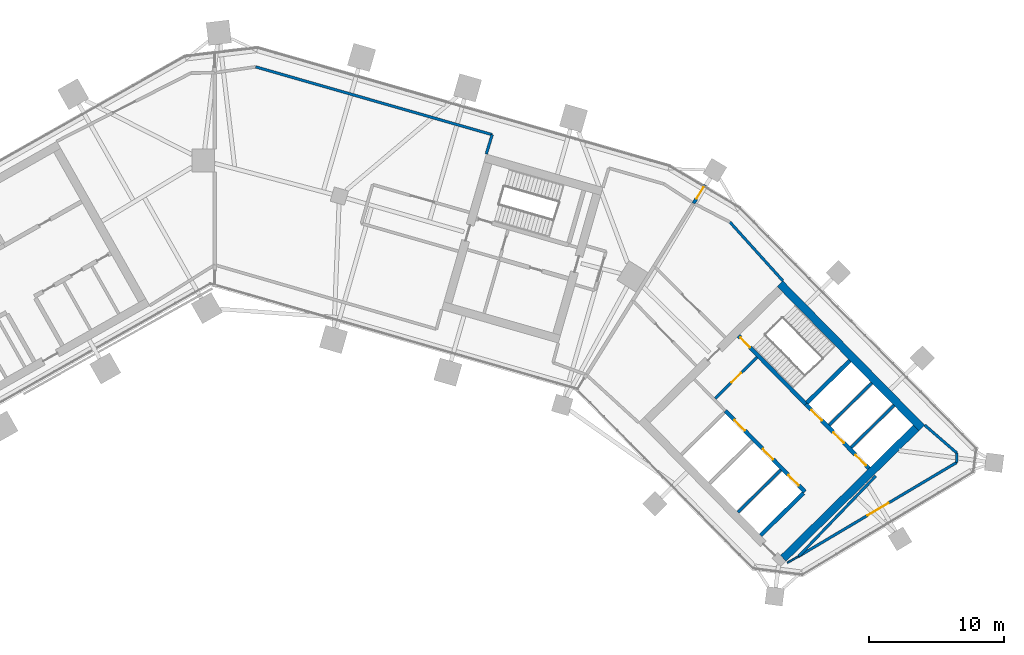
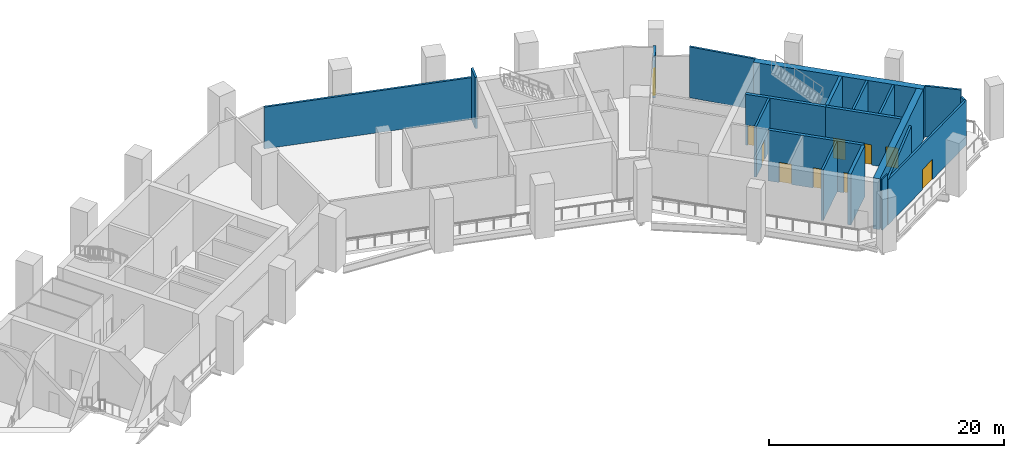
# One storey, part 7 of 11: 20 walls, 10 doors, 10 openings.
"""IFC4 building model written with IfcOpenShell, lengths in metres."""

from ifc_helpers import new_model, si_unit, direction, frame, frame_2d, origin, place, context, subcontext, project, spatial, rectangle, extrude, material, layer, layer_set, type_object, element, fill, save


model = new_model("IFC4")

# Units and contexts
model_context = context("Model", 3, precision=1e-05, world=origin(), true_north=direction((0.0, 1.0)))
body_context = subcontext(model_context, "Body", "Model", "MODEL_VIEW")
ifc_project = project(units=[si_unit("LENGTHUNIT", "METRE"), si_unit("AREAUNIT", "SQUARE_METRE"), si_unit("VOLUMEUNIT", "CUBIC_METRE"), si_unit("PLANEANGLEUNIT", "RADIAN"), si_unit("MASSUNIT", "GRAM", prefix="KILO")], contexts=[model_context])

# Site, building, storey
site_placement = place(None, origin())
site = spatial("IfcSite", under=ifc_project, at=site_placement, CompositionType="ELEMENT")
building_placement = place(site_placement, origin())
building = spatial("IfcBuilding", under=site, at=building_placement, Name="Binnacle Exchange Tower", CompositionType="ELEMENT")
storey_placement = place(building_placement, frame((0.0, 0.0, 91.5)))
storey = spatial("IfcBuildingStorey", under=building, at=storey_placement, Name="L18", CompositionType="ELEMENT", Elevation=91.5)

# Wall, openings, doors
ifc_material_1 = material(Name="Concrete C70/85", Category="concrete")
ifc_layer_1 = layer(ifc_material_1, 0.300048828125)
ifc_layer_set_1 = layer_set([ifc_layer_1], Name="Core wall - front 300")
wall_type_1 = type_object("IfcWallType", Name="Core wall - front 300", PredefinedType="SOLIDWALL", material=ifc_layer_set_1)
wall_1_placement = place(storey_placement, frame((37.8740234375, 41.41552734375, 0.0), z_axis=(0.0, 0.0, 1.0), x_axis=(0.700918271237, -0.71324159795, 0.0)))
wall_1 = element("IfcWall", 1, at=wall_1_placement, inside=storey, type_object=wall_type_1, Name="Core wall CRWB3", PredefinedType="SOLIDWALL", context=body_context, shape_type="SweptSolid", body=[
    extrude(rectangle(XDim=8.39990234375, YDim=0.300048828125, at=frame_2d((4.199951171875, 0.0))), origin(), (0.0, 0.0, 1.0), 5.280029296875),
])
opening_1_placement = place(wall_1_placement, frame((0.949951171875, 0.0, 0.0)))
opening_1 = element("IfcOpeningElement", 2, at=opening_1_placement, cuts=wall_1, Name="Opening LD15", PredefinedType="OPENING", context=body_context, shape_type="SweptSolid", body=[
    extrude(rectangle(XDim=1.10009765625, YDim=2.10009765625, at=frame_2d((0.550048828125, 1.050048828125))), frame((0.0, 0.159912109375, 0.0), z_axis=(0.0, -1.0, 0.0), x_axis=(1.0, 0.0, 0.0)), (0.0, 0.0, 1.0), 0.320068359375),
])
opening_2_placement = place(wall_1_placement, frame((3.949951171875, 0.0, 0.0)))
opening_2 = element("IfcOpeningElement", 3, at=opening_2_placement, cuts=wall_1, Name="Opening LD16", PredefinedType="OPENING", context=body_context, shape_type="SweptSolid", body=[
    extrude(rectangle(XDim=1.10009765625, YDim=2.10009765625, at=frame_2d((0.550048828125, 1.050048828125))), frame((0.0, 0.159912109375, 0.0), z_axis=(0.0, -1.0, 0.0), x_axis=(1.0, 0.0, 0.0)), (0.0, 0.0, 1.0), 0.320068359375),
])
opening_3_placement = place(wall_1_placement, frame((6.64990234375, 0.0, 0.0)))
opening_3 = element("IfcOpeningElement", 4, at=opening_3_placement, cuts=wall_1, Name="Opening LD4", PredefinedType="OPENING", context=body_context, shape_type="SweptSolid", body=[
    extrude(rectangle(XDim=1.10009765625, YDim=2.10009765625, at=frame_2d((0.550048828125, 1.050048828125))), frame((0.0, 0.159912109375, 0.0), z_axis=(0.0, -1.0, 0.0), x_axis=(1.0, 0.0, 0.0)), (0.0, 0.0, 1.0), 0.320068359375),
])
ifc_material_2 = material(Name="Steel door leaf", Category="steel")
door_type_1 = type_object("IfcDoorType", Name="Fire door - lift landing 1100", OperationType="NOTDEFINED", PredefinedType="DOOR", material=ifc_material_2)
door_1_placement = place(opening_1_placement, origin())
door_1 = element("IfcDoor", 5, at=door_1_placement, inside=storey, type_object=door_type_1, Name="Landing door LD15 L18", OperationType="DOUBLE_DOOR_SLIDING", OverallHeight=2.10009765625, OverallWidth=1.10009765625, PredefinedType="DOOR", context=body_context, shape_type="SweptSolid", body=[
    extrude(rectangle(XDim=1.10009765625, YDim=2.10009765625, at=frame_2d((0.550048828125, 1.050048828125))), frame((0.0, 0.02490234375, 0.0), z_axis=(0.0, -1.0, 0.0), x_axis=(1.0, 0.0, 0.0)), (0.0, 0.0, 1.0), 0.050048828125),
])
fill(opening_1, door_1)
door_2_placement = place(opening_2_placement, origin())
door_2 = element("IfcDoor", 6, at=door_2_placement, inside=storey, type_object=door_type_1, Name="Landing door LD16 L18", OperationType="DOUBLE_DOOR_SLIDING", OverallHeight=2.10009765625, OverallWidth=1.10009765625, PredefinedType="DOOR", context=body_context, shape_type="SweptSolid", body=[
    extrude(rectangle(XDim=1.10009765625, YDim=2.10009765625, at=frame_2d((0.550048828125, 1.050048828125))), frame((0.0, 0.02490234375, 0.0), z_axis=(0.0, -1.0, 0.0), x_axis=(1.0, 0.0, 0.0)), (0.0, 0.0, 1.0), 0.050048828125),
])
fill(opening_2, door_2)
door_3_placement = place(opening_3_placement, origin())
door_3 = element("IfcDoor", 7, at=door_3_placement, inside=storey, type_object=door_type_1, Name="Landing door LD4 L18", OperationType="DOUBLE_DOOR_SLIDING", OverallHeight=2.10009765625, OverallWidth=1.10009765625, PredefinedType="DOOR", context=body_context, shape_type="SweptSolid", body=[
    extrude(rectangle(XDim=1.10009765625, YDim=2.10009765625, at=frame_2d((0.550048828125, 1.050048828125))), frame((0.0, 0.02490234375, 0.0), z_axis=(0.0, -1.0, 0.0), x_axis=(1.0, 0.0, 0.0)), (0.0, 0.0, 1.0), 0.050048828125),
])
fill(opening_3, door_3)

wall_2_placement = place(storey_placement, frame((43.818603515625, 41.92919921875, 0.0), z_axis=(0.0, 0.0, 1.0), x_axis=(0.700921619155, -0.713238307862, 0.0)))
wall_2 = element("IfcWall", 8, at=wall_2_placement, inside=storey, type_object=wall_type_1, Name="Core wall CRWB5", PredefinedType="SOLIDWALL", context=body_context, shape_type="SweptSolid", body=[
    extrude(rectangle(XDim=6.69970703125, YDim=0.300048828125, at=frame_2d((3.349853515625, 0.0))), origin(), (0.0, 0.0, 1.0), 5.280029296875),
])
opening_4_placement = place(wall_2_placement, frame((0.614990234375, 0.0, 0.0)))
opening_4 = element("IfcOpeningElement", 9, at=opening_4_placement, cuts=wall_2, Name="Opening LD1", PredefinedType="OPENING", context=body_context, shape_type="SweptSolid", body=[
    extrude(rectangle(XDim=1.10009765625, YDim=2.10009765625, at=frame_2d((0.550048828125, 1.050048828125))), frame((0.0, 0.159912109375, 0.0), z_axis=(0.0, -1.0, 0.0), x_axis=(1.0, 0.0, 0.0)), (0.0, 0.0, 1.0), 0.320068359375),
])
opening_5_placement = place(wall_2_placement, frame((2.945068359375, 0.0, 0.0)))
opening_5 = element("IfcOpeningElement", 10, at=opening_5_placement, cuts=wall_2, Name="Opening LD2", PredefinedType="OPENING", context=body_context, shape_type="SweptSolid", body=[
    extrude(rectangle(XDim=1.10009765625, YDim=2.10009765625, at=frame_2d((0.550048828125, 1.050048828125))), frame((0.0, 0.159912109375, 0.0), z_axis=(0.0, -1.0, 0.0), x_axis=(1.0, 0.0, 0.0)), (0.0, 0.0, 1.0), 0.320068359375),
])
opening_6_placement = place(wall_2_placement, frame((5.280029296875, 0.0, 0.0)))
opening_6 = element("IfcOpeningElement", 11, at=opening_6_placement, cuts=wall_2, Name="Opening LD3", PredefinedType="OPENING", context=body_context, shape_type="SweptSolid", body=[
    extrude(rectangle(XDim=1.10009765625, YDim=2.10009765625, at=frame_2d((0.550048828125, 1.050048828125))), frame((0.0, 0.159912109375, 0.0), z_axis=(0.0, -1.0, 0.0), x_axis=(1.0, 0.0, 0.0)), (0.0, 0.0, 1.0), 0.320068359375),
])
door_4_placement = place(opening_4_placement, origin())
door_4 = element("IfcDoor", 12, at=door_4_placement, inside=storey, type_object=door_type_1, Name="Landing door LD1 L18", OperationType="DOUBLE_DOOR_SLIDING", OverallHeight=2.10009765625, OverallWidth=1.10009765625, PredefinedType="DOOR", context=body_context, shape_type="SweptSolid", body=[
    extrude(rectangle(XDim=1.10009765625, YDim=2.10009765625, at=frame_2d((0.550048828125, 1.050048828125))), frame((0.0, 0.02490234375, 0.0), z_axis=(0.0, -1.0, 0.0), x_axis=(1.0, 0.0, 0.0)), (0.0, 0.0, 1.0), 0.050048828125),
])
fill(opening_4, door_4)
door_5_placement = place(opening_5_placement, origin())
door_5 = element("IfcDoor", 13, at=door_5_placement, inside=storey, type_object=door_type_1, Name="Landing door LD2 L18", OperationType="DOUBLE_DOOR_SLIDING", OverallHeight=2.10009765625, OverallWidth=1.10009765625, PredefinedType="DOOR", context=body_context, shape_type="SweptSolid", body=[
    extrude(rectangle(XDim=1.10009765625, YDim=2.10009765625, at=frame_2d((0.550048828125, 1.050048828125))), frame((0.0, 0.02490234375, 0.0), z_axis=(0.0, -1.0, 0.0), x_axis=(1.0, 0.0, 0.0)), (0.0, 0.0, 1.0), 0.050048828125),
])
fill(opening_5, door_5)
door_6_placement = place(opening_6_placement, origin())
door_6 = element("IfcDoor", 14, at=door_6_placement, inside=storey, type_object=door_type_1, Name="Landing door LD3 L18", OperationType="DOUBLE_DOOR_SLIDING", OverallHeight=2.10009765625, OverallWidth=1.10009765625, PredefinedType="DOOR", context=body_context, shape_type="SweptSolid", body=[
    extrude(rectangle(XDim=1.10009765625, YDim=2.10009765625, at=frame_2d((0.550048828125, 1.050048828125))), frame((0.0, 0.02490234375, 0.0), z_axis=(0.0, -1.0, 0.0), x_axis=(1.0, 0.0, 0.0)), (0.0, 0.0, 1.0), 0.050048828125),
])
fill(opening_6, door_6)

# Walls
wall_3_placement = place(storey_placement, frame((40.480712890625, 32.199951171875, 0.0), z_axis=(0.0, 0.0, 1.0), x_axis=(0.713251741427, 0.700907949271, 0.0)))
element("IfcWall", 15, at=wall_3_placement, inside=storey, type_object=wall_type_1, Name="Core wall CRWB14", PredefinedType="SOLIDWALL", context=body_context, shape_type="SweptSolid", body=[
    extrude(rectangle(XDim=4.4501953125, YDim=0.300048828125, at=frame_2d((2.22509765625, 0.0))), origin(), (0.0, 0.0, 1.0), 5.280029296875),
])
ifc_layer_2 = layer(ifc_material_1, 0.60009765625)
ifc_layer_set_2 = layer_set([ifc_layer_2], Name="Core wall - outer 600")
wall_type_2 = type_object("IfcWallType", Name="Core wall - outer 600", PredefinedType="SOLIDWALL", material=ifc_layer_set_2)
wall_4_placement = place(storey_placement, frame((41.91650390625, 50.855712890625, 0.0), z_axis=(0.0, 0.0, 1.0), x_axis=(0.700911255944, -0.713248491965, 0.0)))
element("IfcWall", 16, at=wall_4_placement, inside=storey, type_object=wall_type_2, Name="Core wall CRWB6", PredefinedType="SOLIDWALL", context=body_context, shape_type="SweptSolid", body=[
    extrude(rectangle(XDim=15.0, YDim=0.60009765625, at=frame_2d((7.5, 0.0))), origin(), (0.0, 0.0, 1.0), 5.280029296875),
])
wall_5_placement = place(storey_placement, frame((42.1630859375, 30.48828125, 0.0), z_axis=(0.0, 0.0, 1.0), x_axis=(0.713245344712, 0.70091445858, 0.0)))
element("IfcWall", 17, at=wall_5_placement, inside=storey, type_object=wall_type_2, Name="Core wall CRWB16", PredefinedType="SOLIDWALL", context=body_context, shape_type="SweptSolid", body=[
    extrude(rectangle(XDim=13.800048828125, YDim=0.60009765625, at=frame_2d((6.89990234375, 0.0))), origin(), (0.0, 0.0, 1.0), 5.280029296875),
])

# Wall, opening, door
ifc_layer_3 = layer(ifc_material_1, 0.300048828125)
ifc_layer_set_3 = layer_set([ifc_layer_3], Name="Core wall - stair 300")
wall_type_3 = type_object("IfcWallType", Name="Core wall - stair 300", PredefinedType="SOLIDWALL", material=ifc_layer_set_3)
wall_6_placement = place(storey_placement, frame((38.842041015625, 46.993408203125, 0.0), z_axis=(0.0, 0.0, 1.0), x_axis=(0.700907701701, -0.713251984713, 0.0)))
wall_6 = element("IfcWall", 18, at=wall_6_placement, inside=storey, type_object=wall_type_3, Name="Core wall CRWB4", PredefinedType="SOLIDWALL", context=body_context, shape_type="SweptSolid", body=[
    extrude(rectangle(XDim=7.10009765625, YDim=0.300048828125, at=frame_2d((3.550048828125, 0.0))), origin(), (0.0, 0.0, 1.0), 5.280029296875),
])
opening_7_placement = place(wall_6_placement, frame((0.199951171875, 0.0, 0.0)))
opening_7 = element("IfcOpeningElement", 19, at=opening_7_placement, cuts=wall_6, Name="Opening DB1", PredefinedType="OPENING", context=body_context, shape_type="SweptSolid", body=[
    extrude(rectangle(XDim=1.0, YDim=2.10009765625, at=frame_2d((0.5, 1.050048828125))), frame((0.0, 0.159912109375, 0.0), z_axis=(0.0, -1.0, 0.0), x_axis=(1.0, 0.0, 0.0)), (0.0, 0.0, 1.0), 0.320068359375),
])
door_type_2 = type_object("IfcDoorType", Name="Fire door 1000", OperationType="NOTDEFINED", PredefinedType="DOOR", material=ifc_material_2)
door_7_placement = place(opening_7_placement, origin())
door_7 = element("IfcDoor", 20, at=door_7_placement, inside=storey, type_object=door_type_2, Name="Stair door ST-B1", OperationType="SINGLE_SWING_LEFT", OverallHeight=2.10009765625, OverallWidth=1.0, PredefinedType="DOOR", context=body_context, shape_type="SweptSolid", body=[
    extrude(rectangle(XDim=1.0, YDim=2.10009765625, at=frame_2d((0.5, 1.050048828125))), frame((0.0, 0.02490234375, 0.0), z_axis=(0.0, -1.0, 0.0), x_axis=(1.0, 0.0, 0.0)), (0.0, 0.0, 1.0), 0.050048828125),
])
fill(opening_7, door_7)

# Walls
wall_7_placement = place(storey_placement, frame((43.925537109375, 42.034423828125, 0.0), z_axis=(0.0, 0.0, 1.0), x_axis=(0.713251741427, 0.700907949271, 0.0)))
element("IfcWall", 21, at=wall_7_placement, inside=storey, type_object=wall_type_3, Name="Core wall CRWB11", PredefinedType="SOLIDWALL", context=body_context, shape_type="SweptSolid", body=[
    extrude(rectangle(XDim=4.4501953125, YDim=0.300048828125, at=frame_2d((2.22509765625, 0.0))), origin(), (0.0, 0.0, 1.0), 5.280029296875),
])
ifc_material_3 = material(Name="Masonry block wall", Category="masonry")
ifc_layer_4 = layer(ifc_material_3, 0.199951171875)
ifc_layer_set_4 = layer_set([ifc_layer_4], Name="Fire wall - block 200")
wall_type_4 = type_object("IfcWallType", Name="Fire wall - block 200", PredefinedType="PARTITIONING", material=ifc_layer_set_4)
wall_8_placement = place(storey_placement, frame((3.029052734375, 66.93408203125, 0.0), z_axis=(0.0, 0.0, 1.0), x_axis=(0.961266574638, -0.2756203412, 0.0)))
element("IfcWall", 22, at=wall_8_placement, inside=storey, type_object=wall_type_4, Name="Partition W29", PredefinedType="PARTITIONING", context=body_context, shape_type="SweptSolid", body=[
    extrude(rectangle(XDim=18.249755859375, YDim=0.199951171875, at=frame_2d((9.125, 0.0))), origin(), (0.0, 0.0, 1.0), 4.342041015625),
])
wall_9_placement = place(storey_placement, frame((20.135986328125, 60.468017578125, 0.0), z_axis=(0.0, 0.0, 1.0), x_axis=(0.290540119102, 0.956862811061, 0.0)))
element("IfcWall", 23, at=wall_9_placement, inside=storey, type_object=wall_type_4, Name="Partition W34", PredefinedType="PARTITIONING", context=body_context, shape_type="SweptSolid", body=[
    extrude(rectangle(XDim=1.500732421875, YDim=0.199951171875, at=frame_2d((0.75048828125, 0.0))), origin(), (0.0, 0.0, 1.0), 5.280029296875),
])
wall_10_placement = place(storey_placement, frame((38.198974609375, 55.423095703125, 0.0), z_axis=(0.0, 0.0, 1.0), x_axis=(0.669853780439, -0.742493038911, 0.0)))
element("IfcWall", 24, at=wall_10_placement, inside=storey, type_object=wall_type_4, Name="Partition W52", PredefinedType="PARTITIONING", context=body_context, shape_type="SweptSolid", body=[
    extrude(rectangle(XDim=5.868408203125, YDim=0.199951171875, at=frame_2d((2.93408203125, 0.0))), origin(), (0.0, 0.0, 1.0), 5.280029296875),
])

# Wall, opening, door
wall_11_placement = place(storey_placement, frame((43.285888671875, 30.62890625, 0.0), z_axis=(0.0, 0.0, 1.0), x_axis=(0.859697100321, 0.510804165702, 0.0)))
wall_11 = element("IfcWall", 25, at=wall_11_placement, inside=storey, type_object=wall_type_4, Name="Partition W54", PredefinedType="PARTITIONING", context=body_context, shape_type="SweptSolid", body=[
    extrude(rectangle(XDim=13.64306640625, YDim=0.199951171875, at=frame_2d((6.821533203125, 0.0))), origin(), (0.0, 0.0, 1.0), 4.659912109375),
])
opening_8_placement = place(wall_11_placement, frame((5.949951171875, 0.0, 0.0)))
opening_8 = element("IfcOpeningElement", 26, at=opening_8_placement, cuts=wall_11, Name="Opening DL18-12", PredefinedType="OPENING", context=body_context, shape_type="SweptSolid", body=[
    extrude(rectangle(XDim=1.800048828125, YDim=2.10009765625, at=frame_2d((0.89990234375, 1.050048828125))), frame((0.0, 0.10986328125, 0.0), z_axis=(0.0, -1.0, 0.0), x_axis=(1.0, 0.0, 0.0)), (0.0, 0.0, 1.0), 0.219970703125),
])
door_type_3 = type_object("IfcDoorType", Name="Fire door 1800", OperationType="NOTDEFINED", PredefinedType="DOOR", material=ifc_material_2)
door_8_placement = place(opening_8_placement, origin())
door_8 = element("IfcDoor", 27, at=door_8_placement, inside=storey, type_object=door_type_3, Name="Door DL18-12", OperationType="DOUBLE_DOOR_SINGLE_SWING", OverallHeight=2.10009765625, OverallWidth=1.800048828125, PredefinedType="DOOR", context=body_context, shape_type="SweptSolid", body=[
    extrude(rectangle(XDim=1.800048828125, YDim=2.10009765625, at=frame_2d((0.89990234375, 1.050048828125))), frame((0.0, 0.02490234375, 0.0), z_axis=(0.0, -1.0, 0.0), x_axis=(1.0, 0.0, 0.0)), (0.0, 0.0, 1.0), 0.050048828125),
])
fill(opening_8, door_8)

# Walls
wall_12_placement = place(storey_placement, frame((43.319091796875, 30.6640625, 0.0), z_axis=(0.0, 0.0, 1.0), x_axis=(0.692960871246, 0.720975194387, 0.0)))
element("IfcWall", 28, at=wall_12_placement, inside=storey, type_object=wall_type_4, Name="Partition W55", PredefinedType="PARTITIONING", context=body_context, shape_type="SweptSolid", body=[
    extrude(rectangle(XDim=8.218017578125, YDim=0.199951171875, at=frame_2d((4.10888671875, 0.0))), origin(), (0.0, 0.0, 1.0), 4.659912109375),
])
wall_13_placement = place(storey_placement, frame((52.64404296875, 40.366943359375, 0.0), z_axis=(0.0, 0.0, 1.0), x_axis=(0.755376683933, -0.655290825031, 0.0)))
element("IfcWall", 29, at=wall_13_placement, inside=storey, type_object=wall_type_4, Name="Partition W56", PredefinedType="PARTITIONING", context=body_context, shape_type="SweptSolid", body=[
    extrude(rectangle(XDim=3.146728515625, YDim=0.199951171875, at=frame_2d((1.5732421875, 0.0))), origin(), (0.0, 0.0, 1.0), 5.280029296875),
])
wall_14_placement = place(storey_placement, frame((55.014892578125, 37.597900390625, 0.0), z_axis=(0.0, 0.0, 1.0), x_axis=(0.008632275045, 0.99996274122, 0.0)))
element("IfcWall", 30, at=wall_14_placement, inside=storey, type_object=wall_type_4, Name="Partition W57", PredefinedType="PARTITIONING", context=body_context, shape_type="SweptSolid", body=[
    extrude(rectangle(XDim=0.70703125, YDim=0.199951171875, at=frame_2d((0.353515625, 0.0))), origin(), (0.0, 0.0, 1.0), 4.56005859375),
])

# Wall, opening, door
ifc_material_4 = material(Name="Concrete fire wall C30/37", Category="concrete")
ifc_layer_5 = layer(ifc_material_4, 0.25)
ifc_layer_set_5 = layer_set([ifc_layer_5], Name="Fire wall - compartment 250")
wall_type_5 = type_object("IfcWallType", Name="Fire wall - compartment 250", PredefinedType="PARTITIONING", material=ifc_layer_set_5)
wall_15_placement = place(storey_placement, frame((35.5048828125, 56.819091796875, 0.0), z_axis=(0.0, 0.0, 1.0), x_axis=(0.529794245677, 0.848126203609, 0.0)))
wall_15 = element("IfcWall", 31, at=wall_15_placement, inside=storey, type_object=wall_type_5, Name="Fire Wall W50", PredefinedType="PARTITIONING", context=body_context, shape_type="SweptSolid", body=[
    extrude(rectangle(XDim=1.608154296875, YDim=0.25, at=frame_2d((0.80419921875, 0.0))), origin(), (0.0, 0.0, 1.0), 4.342041015625),
])
opening_9_placement = place(wall_15_placement, frame((0.39990234375, 0.0, 0.0)))
opening_9 = element("IfcOpeningElement", 32, at=opening_9_placement, cuts=wall_15, Name="Opening DL18-16", PredefinedType="OPENING", context=body_context, shape_type="SweptSolid", body=[
    extrude(rectangle(XDim=1.0, YDim=2.10009765625, at=frame_2d((0.5, 1.050048828125))), frame((0.0, 0.135009765625, 0.0), z_axis=(0.0, -1.0, 0.0), x_axis=(1.0, 0.0, 0.0)), (0.0, 0.0, 1.0), 0.27001953125),
])
door_9_placement = place(opening_9_placement, origin())
door_9 = element("IfcDoor", 33, at=door_9_placement, inside=storey, type_object=door_type_2, Name="Door DL18-16", OperationType="SINGLE_SWING_RIGHT", OverallHeight=2.10009765625, OverallWidth=1.0, PredefinedType="DOOR", context=body_context, shape_type="SweptSolid", body=[
    extrude(rectangle(XDim=1.0, YDim=2.10009765625, at=frame_2d((0.5, 1.050048828125))), frame((0.0, 0.02490234375, 0.0), z_axis=(0.0, -1.0, 0.0), x_axis=(1.0, 0.0, 0.0)), (0.0, 0.0, 1.0), 0.050048828125),
])
fill(opening_9, door_9)

ifc_layer_6 = layer(ifc_material_3, 0.199951171875)
ifc_layer_set_6 = layer_set([ifc_layer_6], Name="Fire wall - vestibule 200")
wall_type_6 = type_object("IfcWallType", Name="Fire wall - vestibule 200", PredefinedType="PARTITIONING", material=ifc_layer_set_6)
wall_16_placement = place(storey_placement, frame((37.104248046875, 42.341552734375, 0.0), z_axis=(0.0, 0.0, 1.0), x_axis=(0.713281298468, 0.700877870428, 0.0)))
wall_16 = element("IfcWall", 34, at=wall_16_placement, inside=storey, type_object=wall_type_6, Name="Core wall CRWB8", PredefinedType="PARTITIONING", context=body_context, shape_type="SweptSolid", body=[
    extrude(rectangle(XDim=4.35009765625, YDim=0.199951171875, at=frame_2d((2.175048828125, 0.0))), origin(), (0.0, 0.0, 1.0), 5.280029296875),
])
opening_10_placement = place(wall_16_placement, frame((1.699951171875, 0.0, 0.0)))
opening_10 = element("IfcOpeningElement", 35, at=opening_10_placement, cuts=wall_16, Name="Opening DB3", PredefinedType="OPENING", context=body_context, shape_type="SweptSolid", body=[
    extrude(rectangle(XDim=1.0, YDim=2.10009765625, at=frame_2d((0.5, 1.050048828125))), frame((0.0, 0.10986328125, 0.0), z_axis=(0.0, -1.0, 0.0), x_axis=(1.0, 0.0, 0.0)), (0.0, 0.0, 1.0), 0.219970703125),
])
door_10_placement = place(opening_10_placement, origin())
door_10 = element("IfcDoor", 36, at=door_10_placement, inside=storey, type_object=door_type_2, Name="Vestibule door VEST-W", OperationType="SINGLE_SWING_RIGHT", OverallHeight=2.10009765625, OverallWidth=1.0, PredefinedType="DOOR", context=body_context, shape_type="SweptSolid", body=[
    extrude(rectangle(XDim=1.0, YDim=2.10009765625, at=frame_2d((0.5, 1.050048828125))), frame((0.0, 0.02490234375, 0.0), z_axis=(0.0, -1.0, 0.0), x_axis=(1.0, 0.0, 0.0)), (0.0, 0.0, 1.0), 0.050048828125),
])
fill(opening_10, door_10)

# Walls
ifc_material_5 = material(Name="Gypsum partition")
ifc_layer_7 = layer(ifc_material_5, 0.125)
ifc_layer_set_7 = layer_set([ifc_layer_7], Name="Partition 125")
wall_type_7 = type_object("IfcWallType", Name="Partition 125", PredefinedType="PARTITIONING", material=ifc_layer_set_7)
wall_17_placement = place(storey_placement, frame((42.466064453125, 30.155029296875, 0.0), z_axis=(0.0, 0.0, 1.0), x_axis=(0.865942754999, 0.50014312458, 0.0)))
element("IfcWall", 37, at=wall_17_placement, inside=storey, type_object=wall_type_7, Name="Partition W53", PredefinedType="PARTITIONING", context=body_context, shape_type="SweptSolid", body=[
    extrude(rectangle(XDim=0.937744140625, YDim=0.125, at=frame_2d((0.46875, 0.0))), origin(), (0.0, 0.0, 1.0), 5.280029296875),
])
ifc_layer_8 = layer(ifc_material_3, 0.199951171875)
ifc_layer_set_8 = layer_set([ifc_layer_8], Name="Shaft wall 200")
wall_type_8 = type_object("IfcWallType", Name="Shaft wall 200", PredefinedType="SOLIDWALL", material=ifc_layer_set_8)
for number, where, z_axis, x_axis, name in (
    (38, (38.798583984375, 33.911865234375, 0.0), (0.0, 0.0, 1.0), (0.713251741427, 0.700907949271, 0.0), "Core wall CRWB12"),
    (39, (45.55859375, 40.37255859375, 0.0), (0.0, 0.0, 1.0), (0.713251741427, 0.700907949271, 0.0), "Core wall CRWB13"),
    (40, (47.191650390625, 38.710693359375, 0.0), (0.0, 0.0, 1.0), (0.713251741427, 0.700907949271, 0.0), "Core wall CRWB15"),
):
    element("IfcWall", number, at=place(storey_placement, frame(where, z_axis=z_axis, x_axis=x_axis)), inside=storey, type_object=wall_type_8, Name=name, PredefinedType="SOLIDWALL", context=body_context, shape_type="SweptSolid", body=[
        extrude(rectangle(XDim=4.4501953125, YDim=0.199951171875, at=frame_2d((2.22509765625, 0.0))), origin(), (0.0, 0.0, 1.0), 5.280029296875),
    ])

save(model, "model.ifc")
